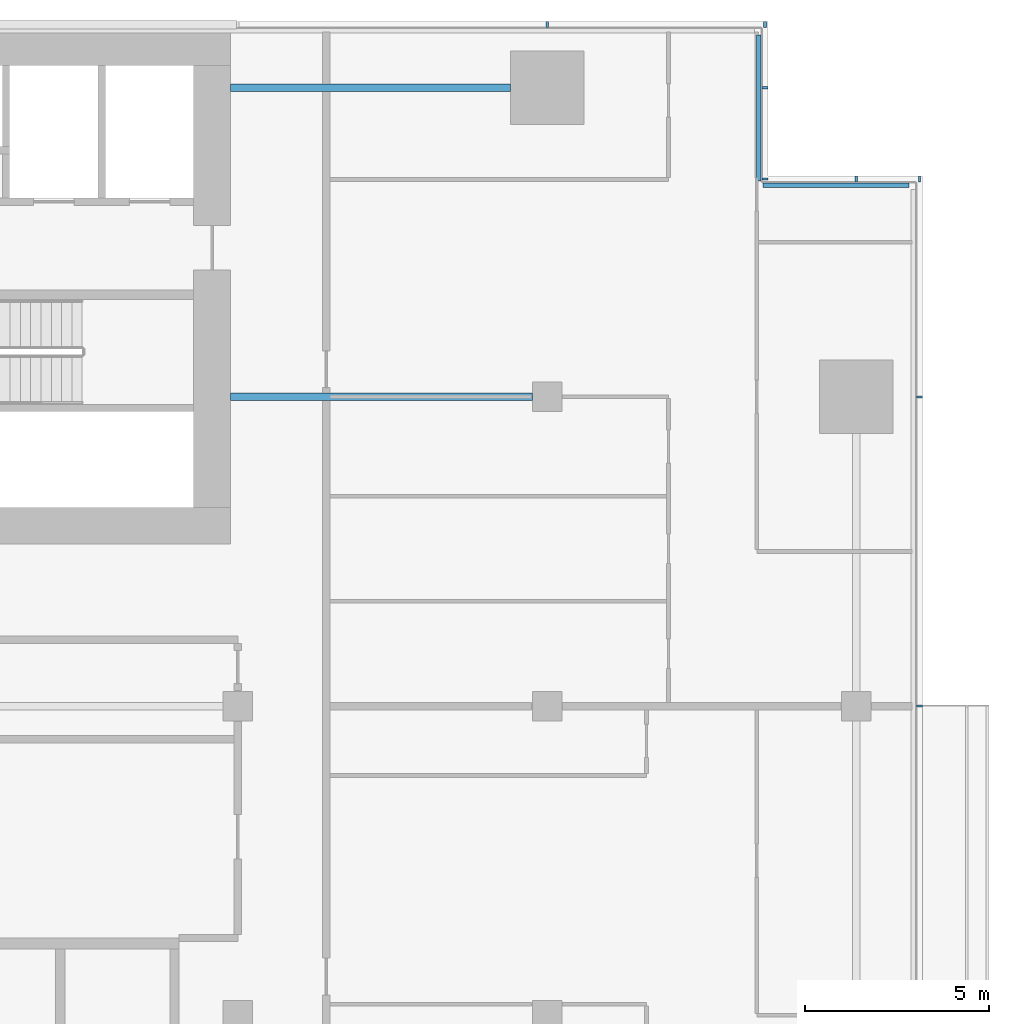
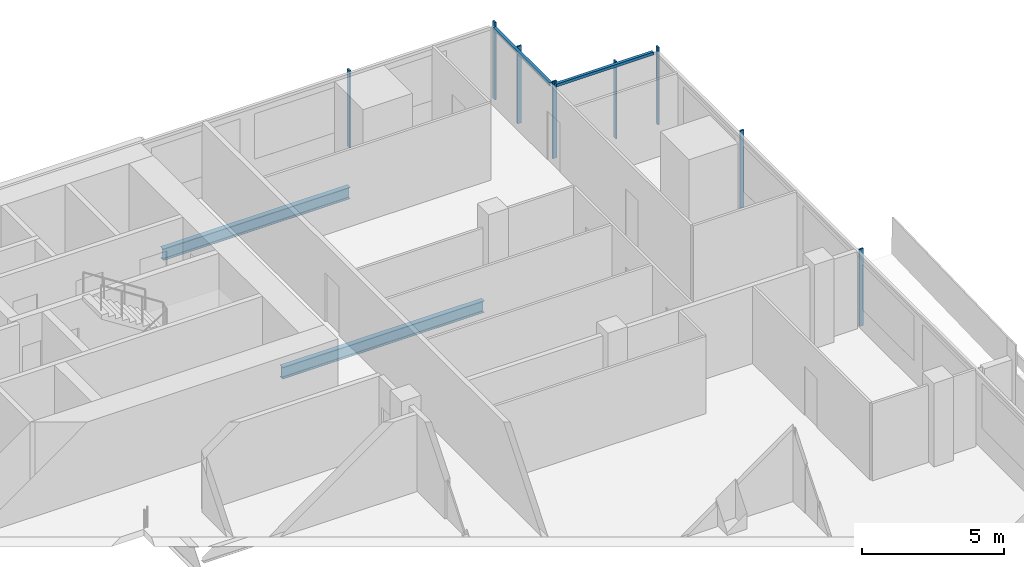
# One storey, part 13 of 25: 10 members, 2 beams, 4 elements without a shape of their own.
"""IFC4 building model written with IfcOpenShell, lengths in metres."""

from ifc_helpers import new_model, si_unit, direction, frame, origin, origin_2d, place, context, subcontext, project, spatial, rectangle, i_section, extrude, material, material_profile, profile_set, type_object, element, aggregate, save


model = new_model("IFC4")

# Units and contexts
model_context = context("Model", 3, precision=1e-05, world=origin(), true_north=direction((0.0, 1.0)))
body_context = subcontext(model_context, "Body", "Model", "MODEL_VIEW")
ifc_project = project(units=[si_unit("LENGTHUNIT", "METRE"), si_unit("AREAUNIT", "SQUARE_METRE"), si_unit("VOLUMEUNIT", "CUBIC_METRE"), si_unit("PLANEANGLEUNIT", "RADIAN"), si_unit("MASSUNIT", "GRAM", prefix="KILO")], contexts=[model_context])

# Site, building, storey
site_placement = place(None, origin())
site = spatial("IfcSite", under=ifc_project, at=site_placement, CompositionType="ELEMENT")
building_placement = place(site_placement, origin())
building = spatial("IfcBuilding", under=site, at=building_placement, Name="Saffron Gate Tower", CompositionType="ELEMENT")
storey_placement = place(building_placement, frame((0.0, 0.0, 131.25)))
storey = spatial("IfcBuildingStorey", under=building, at=storey_placement, Name="L31", CompositionType="ELEMENT", Elevation=131.25)

# Beams
ifc_material_1 = material(Name="Structural steel S355", Category="steel")
ifc_material_profile_1 = material_profile(ifc_material_1, i_section(OverallWidth=0.199951171875, OverallDepth=0.5, WebThickness=0.01025390625, FlangeThickness=0.01611328125, FilletRadius=0.02099609375, at=origin_2d()))
ifc_profile_set_1 = profile_set([ifc_material_profile_1], Name="Structural steel S355")
beam_type = type_object("IfcBeamType", Name="B10 IPE 500", PredefinedType="BEAM", material=ifc_profile_set_1)
beam_1_placement = place(storey_placement, frame((116.60009765625, 65.39990234375, -0.530029296875), z_axis=(-1.0, 0.0, 0.0), x_axis=(0.0, -1.0, 0.0)))
element("IfcBeam", 1, at=beam_1_placement, inside=storey, type_object=beam_type, Name="B10 CORE TIE BEAM", PredefinedType="BEAM", context=body_context, shape_type="SweptSolid", body=[
    extrude(i_section(OverallWidth=0.199951171875, OverallDepth=0.5, WebThickness=0.01025390625, FlangeThickness=0.01611328125, FilletRadius=0.02099609375, at=origin_2d()), origin(), (0.0, 0.0, 1.0), 8.2001953125),
])
beam_2_placement = place(storey_placement, frame((116.0, 73.800048828125, -0.530029296875), z_axis=(-1.0, 0.0, 0.0), x_axis=(0.0, -1.0, 0.0)))
element("IfcBeam", 2, at=beam_2_placement, inside=storey, type_object=beam_type, Name="B10 CORE TIE BEAM", PredefinedType="BEAM", context=body_context, shape_type="SweptSolid", body=[
    extrude(i_section(OverallWidth=0.199951171875, OverallDepth=0.5, WebThickness=0.01025390625, FlangeThickness=0.01611328125, FilletRadius=0.02099609375, at=origin_2d()), origin(), (0.0, 0.0, 1.0), 7.60009765625),
])

# Curtain wall, members
ifc_material_2 = material(Name="Aluminium, bronze anodised", Category="aluminium")
curtain_wall_type_1 = type_object("IfcCurtainWallType", Name="CWS2 curtain wall side facades", PredefinedType="NOTDEFINED", material=ifc_material_2)
curtain_wall_1_placement = place(storey_placement, origin())
curtain_wall_1 = element("IfcCurtainWall", 3, at=curtain_wall_1_placement, inside=storey, type_object=curtain_wall_type_1, Name="CWS2 run 4", PredefinedType="NOTDEFINED")
ifc_material_profile_2 = material_profile(ifc_material_2, rectangle(XDim=0.159912109375, YDim=0.06005859375, at=origin_2d()))
ifc_profile_set_2 = profile_set([ifc_material_profile_2], Name="Aluminium, bronze anodised")
member_type_1 = type_object("IfcMemberType", Name="CWS2 mullion 60x160", PredefinedType="MULLION", material=ifc_profile_set_2)
member_1_placement = place(storey_placement, frame((127.1201171875, 57.0, 0.0), z_axis=(0.0, 0.0, 1.0), x_axis=(-1.0, 0.0, 0.0)))
member_1 = element("IfcMember", 4, at=member_1_placement, type_object=member_type_1, Name="CWS2 mullion 4", PredefinedType="MULLION", context=body_context, shape_type="SweptSolid", body=[
    extrude(rectangle(XDim=0.159912109375, YDim=0.06005859375, at=origin_2d()), origin(), (0.0, 0.0, 1.0), 3.320068359375),
])
member_2_placement = place(storey_placement, frame((127.1201171875, 65.39990234375, 0.0), z_axis=(0.0, 0.0, 1.0), x_axis=(-1.0, 0.0, 0.0)))
member_2 = element("IfcMember", 5, at=member_2_placement, type_object=member_type_1, Name="CWS2 mullion 5", PredefinedType="MULLION", context=body_context, shape_type="SweptSolid", body=[
    extrude(rectangle(XDim=0.159912109375, YDim=0.06005859375, at=origin_2d()), origin(), (0.0, 0.0, 1.0), 3.320068359375),
])
aggregate(curtain_wall_1, [member_1, member_2])

curtain_wall_type_2 = type_object("IfcCurtainWallType", Name="CWS3 curtain wall rear facade", PredefinedType="NOTDEFINED", material=ifc_material_2)
curtain_wall_2_placement = place(storey_placement, origin())
curtain_wall_2 = element("IfcCurtainWall", 6, at=curtain_wall_2_placement, inside=storey, type_object=curtain_wall_type_2, Name="CWS3 run 7", PredefinedType="NOTDEFINED")
ifc_material_profile_3 = material_profile(ifc_material_2, rectangle(XDim=0.159912109375, YDim=0.070068359375, at=origin_2d()))
ifc_profile_set_3 = profile_set([ifc_material_profile_3], Name="Aluminium, bronze anodised")
member_type_2 = type_object("IfcMemberType", Name="CWS3 mullion 70x160", PredefinedType="MULLION", material=ifc_profile_set_3)
member_3_placement = place(storey_placement, frame((122.919921875, 75.52001953125, 0.0), z_axis=(0.0, 0.0, 1.0), x_axis=(0.0, -1.0, 0.0)))
member_3 = element("IfcMember", 7, at=member_3_placement, type_object=member_type_2, Name="CWS3 mullion 1", PredefinedType="MULLION", context=body_context, shape_type="SweptSolid", body=[
    extrude(rectangle(XDim=0.159912109375, YDim=0.070068359375, at=origin_2d()), origin(), (0.0, 0.0, 1.0), 3.320068359375),
])
member_4_placement = place(storey_placement, frame((117.0, 75.52001953125, 0.0), z_axis=(0.0, 0.0, 1.0), x_axis=(0.0, -1.0, 0.0)))
member_4 = element("IfcMember", 8, at=member_4_placement, type_object=member_type_2, Name="CWS3 mullion 2", PredefinedType="MULLION", context=body_context, shape_type="SweptSolid", body=[
    extrude(rectangle(XDim=0.159912109375, YDim=0.070068359375, at=origin_2d()), origin(), (0.0, 0.0, 1.0), 3.320068359375),
])
aggregate(curtain_wall_2, [member_3, member_4])

# Curtain wall, member
curtain_wall_type_3 = type_object("IfcCurtainWallType", Name="CWS4 curtain wall corner returns", PredefinedType="NOTDEFINED", material=ifc_material_2)
curtain_wall_3_placement = place(storey_placement, origin())
curtain_wall_3 = element("IfcCurtainWall", 9, at=curtain_wall_3_placement, inside=storey, type_object=curtain_wall_type_3, Name="CWS4 run 5", PredefinedType="NOTDEFINED")
ifc_material_profile_4 = material_profile(ifc_material_2, rectangle(XDim=0.1201171875, YDim=0.1201171875, at=origin_2d()))
ifc_profile_set_4 = profile_set([ifc_material_profile_4], Name="Aluminium, bronze anodised")
member_type_3 = type_object("IfcMemberType", Name="CWS4 head transom", PredefinedType="USERDEFINED", material=ifc_profile_set_4)
member_5_placement = place(storey_placement, frame((126.83203125, 71.152099609375, 3.260009765625), z_axis=(-1.0, 0.0, 0.0), x_axis=(0.0, -1.0, 0.0)))
member_5 = element("IfcMember", 10, at=member_5_placement, type_object=member_type_3, Name="CWS4 head transom", ObjectType="TRANSOM", PredefinedType="USERDEFINED", context=body_context, shape_type="SweptSolid", body=[
    extrude(rectangle(XDim=0.1201171875, YDim=0.1201171875, at=origin_2d()), origin(), (0.0, 0.0, 1.0), 3.9599609375),
])

curtain_wall_4_placement = place(storey_placement, origin())
curtain_wall_4 = element("IfcCurtainWall", 11, at=curtain_wall_4_placement, inside=storey, type_object=curtain_wall_type_3, Name="CWS4 run 6", PredefinedType="NOTDEFINED")
member_6_placement = place(storey_placement, frame((122.751953125, 71.27197265625, 3.260009765625), z_axis=(0.0, 1.0, 0.0), x_axis=(-1.0, 0.0, 0.0)))
member_6 = element("IfcMember", 12, at=member_6_placement, type_object=member_type_3, Name="CWS4 head transom", ObjectType="TRANSOM", PredefinedType="USERDEFINED", context=body_context, shape_type="SweptSolid", body=[
    extrude(rectangle(XDim=0.1201171875, YDim=0.1201171875, at=origin_2d()), origin(), (0.0, 0.0, 1.0), 3.9599609375),
])

# Member
ifc_material_profile_5 = material_profile(ifc_material_2, rectangle(XDim=0.159912109375, YDim=0.06005859375, at=origin_2d()))
ifc_profile_set_5 = profile_set([ifc_material_profile_5], Name="Aluminium, bronze anodised")
member_type_4 = type_object("IfcMemberType", Name="CWS4 mullion 60x160", PredefinedType="MULLION", material=ifc_profile_set_5)
member_7_placement = place(storey_placement, frame((127.1201171875, 71.320068359375, 0.0), z_axis=(0.0, 0.0, 1.0), x_axis=(0.0, -1.0, 0.0)))
member_7 = element("IfcMember", 13, at=member_7_placement, type_object=member_type_4, Name="CWS4 mullion 1", PredefinedType="MULLION", context=body_context, shape_type="SweptSolid", body=[
    extrude(rectangle(XDim=0.159912109375, YDim=0.06005859375, at=origin_2d()), origin(), (0.0, 0.0, 1.0), 3.320068359375),
])

member_8_placement = place(storey_placement, frame((125.39990234375, 71.320068359375, 0.0), z_axis=(0.0, 0.0, 1.0), x_axis=(0.0, -1.0, 0.0)))
member_8 = element("IfcMember", 14, at=member_8_placement, type_object=member_type_4, Name="CWS4 mullion 2", PredefinedType="MULLION", context=body_context, shape_type="SweptSolid", body=[
    extrude(rectangle(XDim=0.159912109375, YDim=0.06005859375, at=origin_2d()), origin(), (0.0, 0.0, 1.0), 3.320068359375),
])

aggregate(curtain_wall_3, [member_7, member_8, member_5])

member_9_placement = place(storey_placement, frame((122.919921875, 71.320068359375, 0.0), z_axis=(0.0, 0.0, 1.0), x_axis=(-1.0, 0.0, 0.0)))
member_9 = element("IfcMember", 15, at=member_9_placement, type_object=member_type_4, Name="CWS4 mullion 1", PredefinedType="MULLION", context=body_context, shape_type="SweptSolid", body=[
    extrude(rectangle(XDim=0.159912109375, YDim=0.06005859375, at=origin_2d()), origin(), (0.0, 0.0, 1.0), 3.320068359375),
])

member_10_placement = place(storey_placement, frame((122.919921875, 73.800048828125, 0.0), z_axis=(0.0, 0.0, 1.0), x_axis=(-1.0, 0.0, 0.0)))
member_10 = element("IfcMember", 16, at=member_10_placement, type_object=member_type_4, Name="CWS4 mullion 2", PredefinedType="MULLION", context=body_context, shape_type="SweptSolid", body=[
    extrude(rectangle(XDim=0.159912109375, YDim=0.06005859375, at=origin_2d()), origin(), (0.0, 0.0, 1.0), 3.320068359375),
])

aggregate(curtain_wall_4, [member_9, member_10, member_6])

save(model, "model.ifc")
